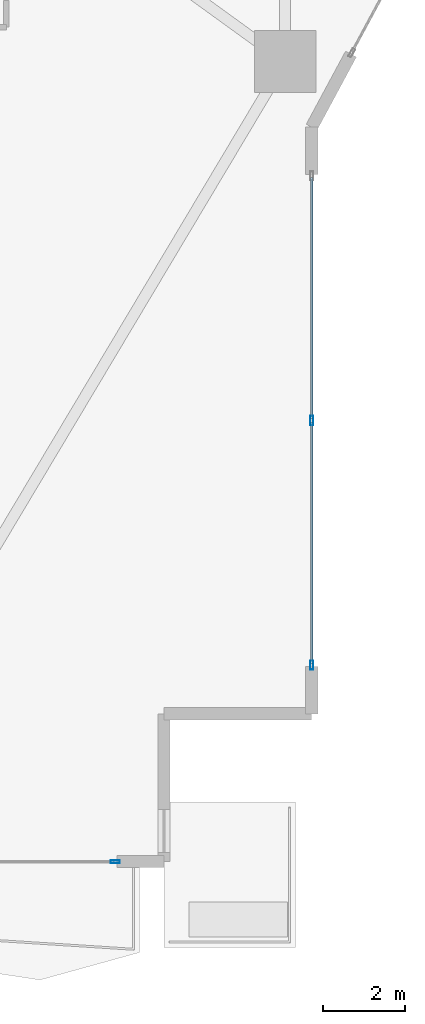
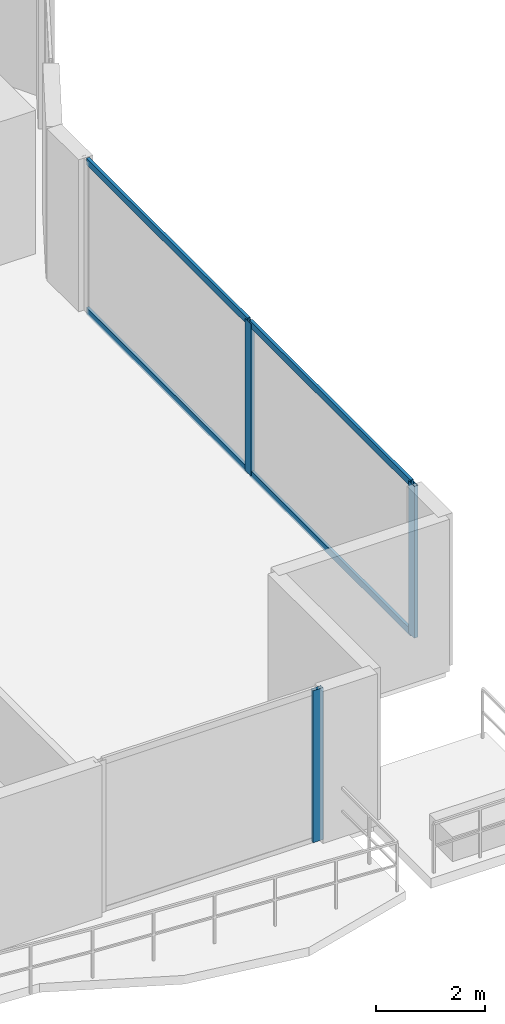
# One storey, part 10 of 30: 7 members, 2 elements without a shape of their own.
"""IFC4 building model written with IfcOpenShell, lengths in metres."""

from ifc_helpers import new_model, si_unit, direction, frame, origin, origin_2d, place, context, subcontext, project, spatial, hollow_rectangle, extrude, material, layer, layer_set, material_profile, profile_set, type_object, element, aggregate, save


model = new_model("IFC4")

# Units and contexts
model_context = context("Model", 3, precision=1e-05, world=origin(), true_north=direction((0.0, 1.0)))
body_context = subcontext(model_context, "Body", "Model", "MODEL_VIEW")
ifc_project = project(units=[si_unit("LENGTHUNIT", "METRE"), si_unit("AREAUNIT", "SQUARE_METRE"), si_unit("VOLUMEUNIT", "CUBIC_METRE"), si_unit("PLANEANGLEUNIT", "RADIAN"), si_unit("MASSUNIT", "GRAM", prefix="KILO")], contexts=[model_context])

# Site, building, storey
site_placement = place(None, origin())
site = spatial("IfcSite", under=ifc_project, at=site_placement, CompositionType="ELEMENT")
building_placement = place(site_placement, origin())
building = spatial("IfcBuilding", under=site, at=building_placement, Name="Zuhayl Quay Hotel", CompositionType="ELEMENT")
storey_placement = place(building_placement, frame((0.0, 0.0, 86.0)))
storey = spatial("IfcBuildingStorey", under=building, at=storey_placement, Name="L21", CompositionType="ELEMENT", Elevation=86.0)

# Curtain wall, members
ifc_material_1 = material(Name="Anodised Aluminium 6063-T6", Category="aluminium")
ifc_layer = layer(ifc_material_1, 0.18994140625, Name="Anodised Aluminium 6063-T6", Category="aluminium")
ifc_layer_set = layer_set([ifc_layer], Name="Anodised Aluminium 6063-T6")
curtain_wall_type = type_object("IfcCurtainWallType", Name="CW_SYS_Z1", PredefinedType="USERDEFINED", material=ifc_layer_set)
curtain_wall_1_placement = place(storey_placement, origin())
curtain_wall_1 = element("IfcCurtainWall", 1, at=curtain_wall_1_placement, inside=storey, type_object=curtain_wall_type, Name="L21 Curtain Wall ENV_L21_E14_CW1", ObjectType="UNITISED CURTAIN WALL", PredefinedType="USERDEFINED")
ifc_material_2 = material(Name="Black-anodised aluminium 6063-T6", Category="aluminium")
ifc_material_profile_1 = material_profile(ifc_material_2, hollow_rectangle(XDim=0.074951171875, YDim=0.219970703125, WallThickness=0.00390625, at=origin_2d()), Name="ALU220X75")
ifc_profile_set_1 = profile_set([ifc_material_profile_1], Name="Black-anodised aluminium 6063-T6")
member_type_1 = type_object("IfcMemberType", Name="MB_CW_MUL_220", PredefinedType="MULLION", material=ifc_profile_set_1)
member_1_placement = place(storey_placement, frame((25.699951171875, -12.35009765625, 0.0), z_axis=(0.0, 0.0, 1.0), x_axis=(1.0, 0.0, 0.0)))
member_1 = element("IfcMember", 2, at=member_1_placement, type_object=member_type_1, Name="CW-Z1 mullion 2", PredefinedType="MULLION", context=body_context, shape_type="SweptSolid", body=[
    extrude(hollow_rectangle(XDim=0.074951171875, YDim=0.219970703125, WallThickness=0.00390625, at=origin_2d()), origin(), (0.0, 0.0, 1.0), 3.389892578125),
])
member_2_placement = place(storey_placement, frame((25.699951171875, -18.3125, 0.0), z_axis=(0.0, 0.0, 1.0), x_axis=(1.0, 0.0, 0.0)))
member_2 = element("IfcMember", 3, at=member_2_placement, type_object=member_type_1, Name="CW-Z1 mullion 3", PredefinedType="MULLION", context=body_context, shape_type="SweptSolid", body=[
    extrude(hollow_rectangle(XDim=0.074951171875, YDim=0.219970703125, WallThickness=0.00390625, at=origin_2d()), origin(), (0.0, 0.0, 1.0), 3.389892578125),
])

# Curtain wall, member
curtain_wall_2_placement = place(storey_placement, origin())
curtain_wall_2 = element("IfcCurtainWall", 4, at=curtain_wall_2_placement, inside=storey, type_object=curtain_wall_type, Name="L21 Curtain Wall ENV_L21_S_CW1", ObjectType="UNITISED CURTAIN WALL", PredefinedType="USERDEFINED")
member_3_placement = place(storey_placement, frame((20.91259765625, -23.10009765625, 0.0), z_axis=(0.0, 0.0, 1.0), x_axis=(0.0, -1.0, 0.0)))
member_3 = element("IfcMember", 5, at=member_3_placement, type_object=member_type_1, Name="CW-Z1 mullion 1", PredefinedType="MULLION", context=body_context, shape_type="SweptSolid", body=[
    extrude(hollow_rectangle(XDim=0.074951171875, YDim=0.219970703125, WallThickness=0.00390625, at=origin_2d()), origin(), (0.0, 0.0, 1.0), 3.389892578125),
])
aggregate(curtain_wall_2, [member_3])

# Member
ifc_material_profile_2 = material_profile(ifc_material_2, hollow_rectangle(XDim=0.06005859375, YDim=0.14990234375, WallThickness=0.00341796875, at=origin_2d()), Name="ALU150X60")
ifc_profile_set_2 = profile_set([ifc_material_profile_2], Name="Black-anodised aluminium 6063-T6")
member_type_2 = type_object("IfcMemberType", Name="MB_CW_TRN_150", PredefinedType="USERDEFINED", material=ifc_profile_set_2)
member_4_placement = place(storey_placement, frame((25.699951171875, -6.425048828125, 0.030029296875), z_axis=(0.0, -1.0, 0.0), x_axis=(1.0, 0.0, 0.0)))
member_4 = element("IfcMember", 6, at=member_4_placement, type_object=member_type_2, Name="CW-Z1 transom 1.1", ObjectType="TRANSOM", PredefinedType="USERDEFINED", context=body_context, shape_type="SweptSolid", body=[
    extrude(hollow_rectangle(XDim=0.06005859375, YDim=0.14990234375, WallThickness=0.00341796875, at=origin_2d()), origin(), (0.0, 0.0, 1.0), 5.887451171875),
])

member_5_placement = place(storey_placement, frame((25.699951171875, -6.425048828125, 3.360107421875), z_axis=(0.0, -1.0, 0.0), x_axis=(1.0, 0.0, 0.0)))
member_5 = element("IfcMember", 7, at=member_5_placement, type_object=member_type_2, Name="CW-Z1 transom 1.2", ObjectType="TRANSOM", PredefinedType="USERDEFINED", context=body_context, shape_type="SweptSolid", body=[
    extrude(hollow_rectangle(XDim=0.06005859375, YDim=0.14990234375, WallThickness=0.00341796875, at=origin_2d()), origin(), (0.0, 0.0, 1.0), 5.887451171875),
])

member_6_placement = place(storey_placement, frame((25.699951171875, -12.387451171875, 0.030029296875), z_axis=(0.0, -1.0, 0.0), x_axis=(1.0, 0.0, 0.0)))
member_6 = element("IfcMember", 8, at=member_6_placement, type_object=member_type_2, Name="CW-Z1 transom 2.1", ObjectType="TRANSOM", PredefinedType="USERDEFINED", context=body_context, shape_type="SweptSolid", body=[
    extrude(hollow_rectangle(XDim=0.06005859375, YDim=0.14990234375, WallThickness=0.00341796875, at=origin_2d()), origin(), (0.0, 0.0, 1.0), 5.887451171875),
])

member_7_placement = place(storey_placement, frame((25.699951171875, -12.387451171875, 3.360107421875), z_axis=(0.0, -1.0, 0.0), x_axis=(1.0, 0.0, 0.0)))
member_7 = element("IfcMember", 9, at=member_7_placement, type_object=member_type_2, Name="CW-Z1 transom 2.2", ObjectType="TRANSOM", PredefinedType="USERDEFINED", context=body_context, shape_type="SweptSolid", body=[
    extrude(hollow_rectangle(XDim=0.06005859375, YDim=0.14990234375, WallThickness=0.00341796875, at=origin_2d()), origin(), (0.0, 0.0, 1.0), 5.887451171875),
])

aggregate(curtain_wall_1, [member_1, member_2, member_4, member_5, member_6, member_7])

save(model, "model.ifc")
